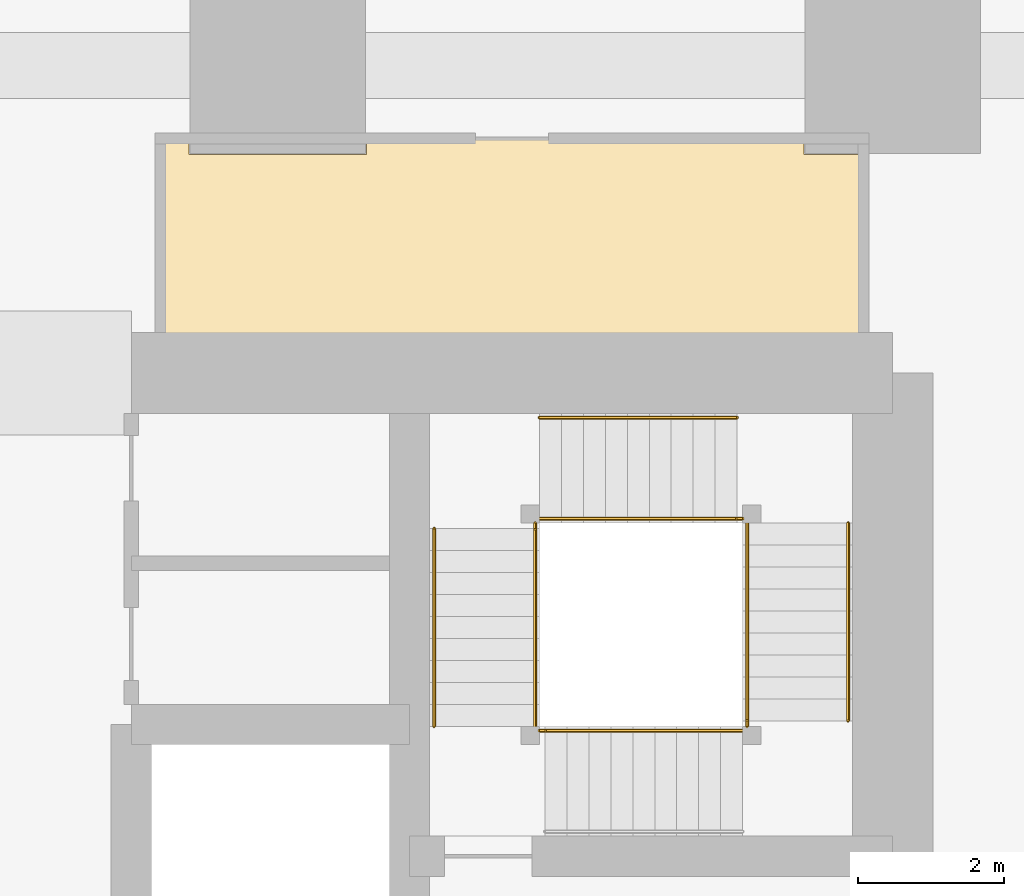
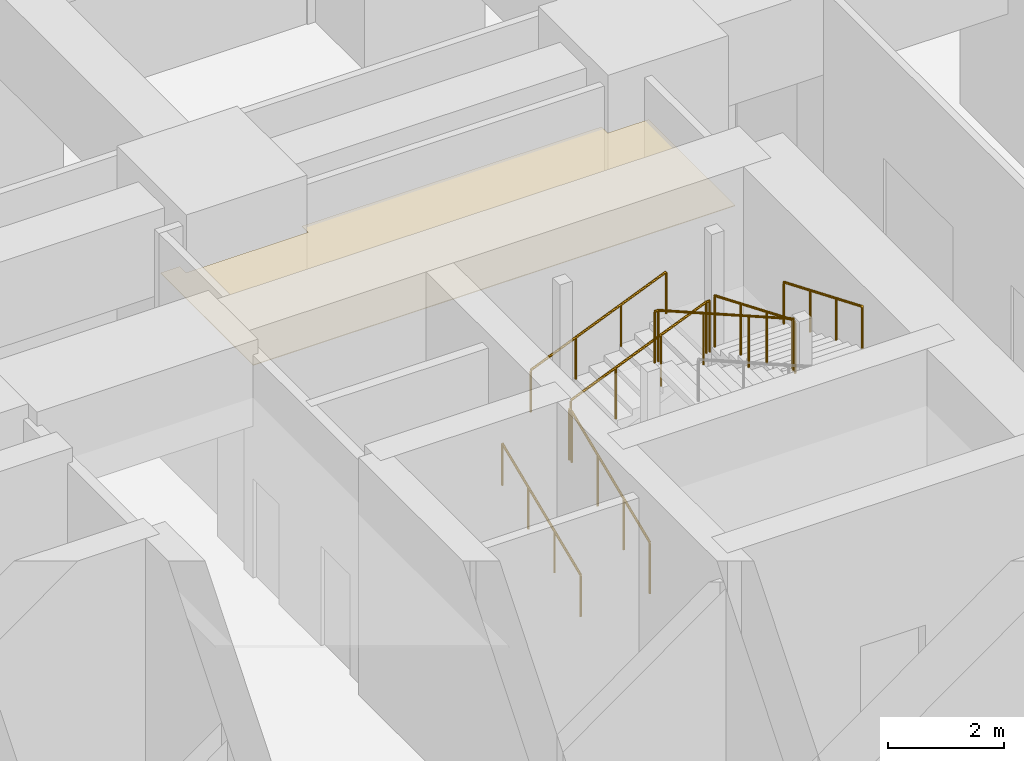
# One storey, part 48 of 49: 11 railings, 1 covering.
"""IFC4 building model written with IfcOpenShell, lengths in metres."""

from ifc_helpers import new_model, si_unit, direction, frame, origin, origin_2d, place, context, subcontext, project, spatial, polyline, circle, outline, extrude, material, layer, layer_set, type_object, element, save


model = new_model("IFC4")

# Units and contexts
model_context = context("Model", 3, precision=1e-05, world=origin(), true_north=direction((0.0, 1.0)))
body_context = subcontext(model_context, "Body", "Model", "MODEL_VIEW")
ifc_project = project(units=[si_unit("LENGTHUNIT", "METRE"), si_unit("AREAUNIT", "SQUARE_METRE"), si_unit("VOLUMEUNIT", "CUBIC_METRE"), si_unit("PLANEANGLEUNIT", "RADIAN"), si_unit("MASSUNIT", "GRAM", prefix="KILO")], contexts=[model_context])

# Site, building, storey
site_placement = place(None, origin())
site = spatial("IfcSite", under=ifc_project, at=site_placement, CompositionType="ELEMENT")
building_placement = place(site_placement, origin())
building = spatial("IfcBuilding", under=site, at=building_placement, Name="Rekha Terrace Tower", CompositionType="ELEMENT")
storey_placement = place(building_placement, frame((0.0, 0.0, 10.39990234375)))
storey = spatial("IfcBuildingStorey", under=building, at=storey_placement, Name="L02", CompositionType="ELEMENT", Elevation=10.39990234375)

# Covering
ifc_material_1 = material(Name="Fibre cement board", Category="finish")
ifc_layer = layer(ifc_material_1, 0.014892578125)
ifc_layer_set = layer_set([ifc_layer], Name="Fibre cement board")
covering_type = type_object("IfcCoveringType", Name="CL2 moisture-resistant board ceiling", PredefinedType="CEILING", material=ifc_layer_set)
covering_placement = place(storey_placement, frame((0.0, 0.0, 3.78515625)))
element("IfcCovering", 1, at=covering_placement, inside=storey, type_object=covering_type, Name="Ceiling L02-WCF", PredefinedType="CEILING", context=body_context, shape_type="SweptSolid", body=[
    extrude(outline(polyline([(40.784912109375, 49.39990234375), (40.39990234375, 49.39990234375), (40.39990234375, 46.199951171875), (50.0, 46.199951171875), (50.0, 49.18505859375), (49.18505859375, 49.18505859375), (49.18505859375, 49.39990234375), (43.215087890625, 49.39990234375), (43.215087890625, 49.18505859375), (40.784912109375, 49.18505859375), (40.784912109375, 49.39990234375)])), origin(), (0.0, 0.0, 1.0), 0.014892578125),
])

# Railings
ifc_material_2 = material(Name="Stainless steel balustrade", Category="steel")
railing_type_1 = type_object("IfcRailingType", Name="GR1 1100 stair guard", PredefinedType="GUARDRAIL", material=ifc_material_2)
railing_1_placement = place(storey_placement, frame((45.514892578125, 41.375, 0.125)))
element("IfcRailing", 2, at=railing_1_placement, inside=storey, type_object=railing_type_1, Name="Guard ST2 L02 flight 1", PredefinedType="GUARDRAIL", context=body_context, shape_type="SweptSolid", body=[
    extrude(circle(Radius=0.02392578125, at=origin_2d()), frame((0.0, 0.0, 1.076171875), z_axis=(0.0, 0.923074453586, 0.384621311341), x_axis=(-1.0, 0.0, 0.0)), (0.0, 0.0, 1.0), 2.925048828125),
    extrude(circle(Radius=0.02099609375, at=origin_2d()), origin(), (0.0, 0.0, 1.0), 1.052001953125),
    extrude(circle(Radius=0.02099609375, at=origin_2d()), frame((0.0, 0.89990234375, 0.375)), (0.0, 0.0, 1.0), 1.052001953125),
    extrude(circle(Radius=0.02099609375, at=origin_2d()), frame((0.0, 1.800048828125, 0.75)), (0.0, 0.0, 1.0), 1.052001953125),
    extrude(circle(Radius=0.02099609375, at=origin_2d()), frame((0.0, 2.699951171875, 1.125)), (0.0, 0.0, 1.0), 1.052001953125),
])
railing_2_placement = place(storey_placement, frame((45.574951171875, 44.2099609375, 1.375)))
element("IfcRailing", 3, at=railing_2_placement, inside=storey, type_object=railing_type_1, Name="Guard ST2 L02 flight 2", PredefinedType="GUARDRAIL", context=body_context, shape_type="SweptSolid", body=[
    extrude(circle(Radius=0.02392578125, at=origin_2d()), frame((0.0, 0.0, 1.076171875), z_axis=(0.923074453586, 0.0, 0.384621311341), x_axis=(0.0, 1.0, 0.0)), (0.0, 0.0, 1.0), 2.925048828125),
    extrude(circle(Radius=0.02099609375, at=origin_2d()), origin(), (0.0, 0.0, 1.0), 1.052001953125),
    extrude(circle(Radius=0.02099609375, at=origin_2d()), frame((0.89990234375, 0.0, 0.375)), (0.0, 0.0, 1.0), 1.052001953125),
    extrude(circle(Radius=0.02099609375, at=origin_2d()), frame((1.800048828125, 0.0, 0.75)), (0.0, 0.0, 1.0), 1.052001953125),
    extrude(circle(Radius=0.02099609375, at=origin_2d()), frame((2.699951171875, 0.0, 1.125)), (0.0, 0.0, 1.0), 1.052001953125),
])
railing_3_placement = place(storey_placement, frame((48.409912109375, 44.14990234375, 2.625)))
element("IfcRailing", 4, at=railing_3_placement, inside=storey, type_object=railing_type_1, Name="Guard ST2 L02 flight 3", PredefinedType="GUARDRAIL", context=body_context, shape_type="SweptSolid", body=[
    extrude(circle(Radius=0.02392578125, at=origin_2d()), frame((0.0, 0.0, 1.076171875), z_axis=(0.0, -0.923074453586, 0.384621311341), x_axis=(1.0, 0.0, 0.0)), (0.0, 0.0, 1.0), 2.925048828125),
    extrude(circle(Radius=0.02099609375, at=origin_2d()), origin(), (0.0, 0.0, 1.0), 1.052001953125),
    extrude(circle(Radius=0.02099609375, at=origin_2d()), frame((0.0, -0.89990234375, 0.375)), (0.0, 0.0, 1.0), 1.052001953125),
    extrude(circle(Radius=0.02099609375, at=origin_2d()), frame((0.0, -1.800048828125, 0.75)), (0.0, 0.0, 1.0), 1.052001953125),
    extrude(circle(Radius=0.02099609375, at=origin_2d()), frame((0.0, -2.699951171875, 1.125)), (0.0, 0.0, 1.0), 1.052001953125),
])
railing_4_placement = place(storey_placement, frame((48.35009765625, 41.31494140625, 3.875)))
element("IfcRailing", 5, at=railing_4_placement, inside=storey, type_object=railing_type_1, Name="Guard ST2 L02 flight 4", PredefinedType="GUARDRAIL", context=body_context, shape_type="SweptSolid", body=[
    extrude(circle(Radius=0.02392578125, at=origin_2d()), frame((0.0, 0.0, 1.076171875), z_axis=(-0.923086799901, 0.0, 0.38459167938), x_axis=(0.0, -1.0, 0.0)), (0.0, 0.0, 1.0), 2.92529296875),
    extrude(circle(Radius=0.02099609375, at=origin_2d()), origin(), (0.0, 0.0, 1.0), 1.052001953125),
    extrude(circle(Radius=0.02099609375, at=origin_2d()), frame((-0.900146484375, 0.0, 0.375)), (0.0, 0.0, 1.0), 1.052001953125),
    extrude(circle(Radius=0.02099609375, at=origin_2d()), frame((-1.800048828125, 0.0, 0.75)), (0.0, 0.0, 1.0), 1.052001953125),
    extrude(circle(Radius=0.02099609375, at=origin_2d()), frame((-2.7001953125, 0.0, 1.125)), (0.0, 0.0, 1.0), 1.052001953125),
])
railing_5_placement = place(storey_placement, frame((45.514892578125, 44.074951171875, 1.25)))
element("IfcRailing", 6, at=railing_5_placement, inside=storey, type_object=railing_type_1, Name="Guard ST2 L02 landing 1", PredefinedType="GUARDRAIL", context=body_context, shape_type="SweptSolid", body=[
    extrude(circle(Radius=0.02392578125, at=origin_2d()), frame((0.0, 0.0, 1.076171875), z_axis=(0.0, 1.0, 0.0), x_axis=(-1.0, 0.0, 0.0)), (0.0, 0.0, 1.0), 0.074951171875),
    extrude(circle(Radius=0.02099609375, at=origin_2d()), origin(), (0.0, 0.0, 1.0), 1.052001953125),
    extrude(circle(Radius=0.02099609375, at=origin_2d()), frame((0.0, 0.074951171875, 0.0)), (0.0, 0.0, 1.0), 1.052001953125),
])
railing_6_placement = place(storey_placement, frame((48.27490234375, 44.2099609375, 2.5)))
element("IfcRailing", 7, at=railing_6_placement, inside=storey, type_object=railing_type_1, Name="Guard ST2 L02 landing 2", PredefinedType="GUARDRAIL", context=body_context, shape_type="SweptSolid", body=[
    extrude(circle(Radius=0.02392578125, at=origin_2d()), frame((0.0, 0.0, 1.076171875), z_axis=(1.0, 0.0, 0.0), x_axis=(0.0, 1.0, 0.0)), (0.0, 0.0, 1.0), 0.0751953125),
    extrude(circle(Radius=0.02099609375, at=origin_2d()), origin(), (0.0, 0.0, 1.0), 1.052001953125),
    extrude(circle(Radius=0.02099609375, at=origin_2d()), frame((0.0751953125, 0.0, 0.0)), (0.0, 0.0, 1.0), 1.052001953125),
])
railing_7_placement = place(storey_placement, frame((48.409912109375, 41.375, 3.75)))
element("IfcRailing", 8, at=railing_7_placement, inside=storey, type_object=railing_type_1, Name="Guard ST2 L02 landing 3", PredefinedType="GUARDRAIL", context=body_context, shape_type="SweptSolid", body=[
    extrude(circle(Radius=0.02392578125, at=origin_2d()), frame((0.0, 0.0, 1.076171875), z_axis=(0.0, 1.0, 0.0), x_axis=(-1.0, 0.0, 0.0)), (0.0, 0.0, 1.0), 0.074951171875),
    extrude(circle(Radius=0.02099609375, at=origin_2d()), origin(), (0.0, 0.0, 1.0), 1.052001953125),
    extrude(circle(Radius=0.02099609375, at=origin_2d()), frame((0.0, 0.074951171875, 0.0)), (0.0, 0.0, 1.0), 1.052001953125),
])
railing_8_placement = place(storey_placement, frame((45.574951171875, 41.31494140625, 5.0)))
element("IfcRailing", 9, at=railing_8_placement, inside=storey, type_object=railing_type_1, Name="Guard ST2 L02 landing 4", PredefinedType="GUARDRAIL", context=body_context, shape_type="SweptSolid", body=[
    extrude(circle(Radius=0.02392578125, at=origin_2d()), frame((0.0, 0.0, 1.076171875), z_axis=(1.0, 0.0, 0.0), x_axis=(0.0, 1.0, 0.0)), (0.0, 0.0, 1.0), 0.074951171875),
    extrude(circle(Radius=0.02099609375, at=origin_2d()), origin(), (0.0, 0.0, 1.0), 1.052001953125),
    extrude(circle(Radius=0.02099609375, at=origin_2d()), frame((0.074951171875, 0.0, 0.0)), (0.0, 0.0, 1.0), 1.052001953125),
])
ifc_material_3 = material(Name="Stainless steel tube", Category="steel")
railing_type_2 = type_object("IfcRailingType", Name="HR1 900 stair handrail", PredefinedType="HANDRAIL", material=ifc_material_3)
railing_9_placement = place(storey_placement, frame((44.135009765625, 41.375, 0.125)))
element("IfcRailing", 10, at=railing_9_placement, inside=storey, type_object=railing_type_2, Name="Handrail ST2 L02 flight 1", PredefinedType="HANDRAIL", context=body_context, shape_type="SweptSolid", body=[
    extrude(circle(Radius=0.02392578125, at=origin_2d()), frame((0.0, 0.0, 0.8759765625), z_axis=(0.0, 0.923074453586, 0.384621311341), x_axis=(-1.0, 0.0, 0.0)), (0.0, 0.0, 1.0), 2.925048828125),
    extrude(circle(Radius=0.02099609375, at=origin_2d()), origin(), (0.0, 0.0, 1.0), 0.851806640625),
    extrude(circle(Radius=0.02099609375, at=origin_2d()), frame((0.0, 0.89990234375, 0.375)), (0.0, 0.0, 1.0), 0.851806640625),
    extrude(circle(Radius=0.02099609375, at=origin_2d()), frame((0.0, 1.800048828125, 0.75)), (0.0, 0.0, 1.0), 0.851806640625),
    extrude(circle(Radius=0.02099609375, at=origin_2d()), frame((0.0, 2.699951171875, 1.125)), (0.0, 0.0, 1.0), 0.851806640625),
])
railing_10_placement = place(storey_placement, frame((45.574951171875, 45.590087890625, 1.375)))
element("IfcRailing", 11, at=railing_10_placement, inside=storey, type_object=railing_type_2, Name="Handrail ST2 L02 flight 2", PredefinedType="HANDRAIL", context=body_context, shape_type="SweptSolid", body=[
    extrude(circle(Radius=0.02392578125, at=origin_2d()), frame((0.0, 0.0, 0.8759765625), z_axis=(0.923074453586, 0.0, 0.384621311341), x_axis=(0.0, 1.0, 0.0)), (0.0, 0.0, 1.0), 2.925048828125),
    extrude(circle(Radius=0.02099609375, at=origin_2d()), origin(), (0.0, 0.0, 1.0), 0.851806640625),
    extrude(circle(Radius=0.02099609375, at=origin_2d()), frame((0.89990234375, 0.0, 0.375)), (0.0, 0.0, 1.0), 0.851806640625),
    extrude(circle(Radius=0.02099609375, at=origin_2d()), frame((1.800048828125, 0.0, 0.75)), (0.0, 0.0, 1.0), 0.851806640625),
    extrude(circle(Radius=0.02099609375, at=origin_2d()), frame((2.699951171875, 0.0, 1.125)), (0.0, 0.0, 1.0), 0.851806640625),
])
railing_11_placement = place(storey_placement, frame((49.7900390625, 44.14990234375, 2.625)))
element("IfcRailing", 12, at=railing_11_placement, inside=storey, type_object=railing_type_2, Name="Handrail ST2 L02 flight 3", PredefinedType="HANDRAIL", context=body_context, shape_type="SweptSolid", body=[
    extrude(circle(Radius=0.02392578125, at=origin_2d()), frame((0.0, 0.0, 0.8759765625), z_axis=(0.0, -0.923074453586, 0.384621311341), x_axis=(1.0, 0.0, 0.0)), (0.0, 0.0, 1.0), 2.925048828125),
    extrude(circle(Radius=0.02099609375, at=origin_2d()), origin(), (0.0, 0.0, 1.0), 0.851806640625),
    extrude(circle(Radius=0.02099609375, at=origin_2d()), frame((0.0, -0.89990234375, 0.375)), (0.0, 0.0, 1.0), 0.851806640625),
    extrude(circle(Radius=0.02099609375, at=origin_2d()), frame((0.0, -1.800048828125, 0.75)), (0.0, 0.0, 1.0), 0.851806640625),
    extrude(circle(Radius=0.02099609375, at=origin_2d()), frame((0.0, -2.699951171875, 1.125)), (0.0, 0.0, 1.0), 0.851806640625),
])

save(model, "model.ifc")
